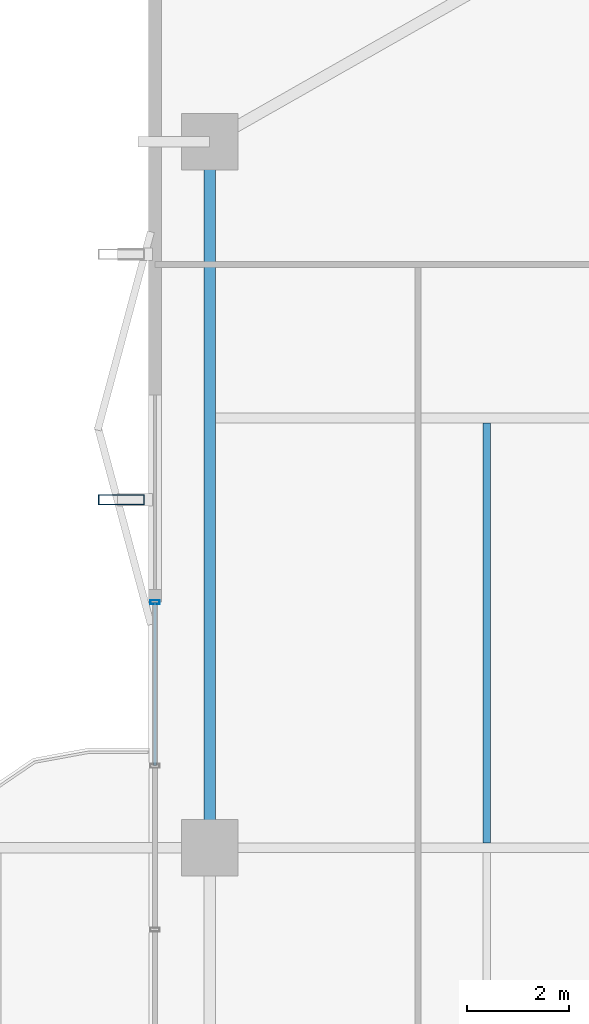
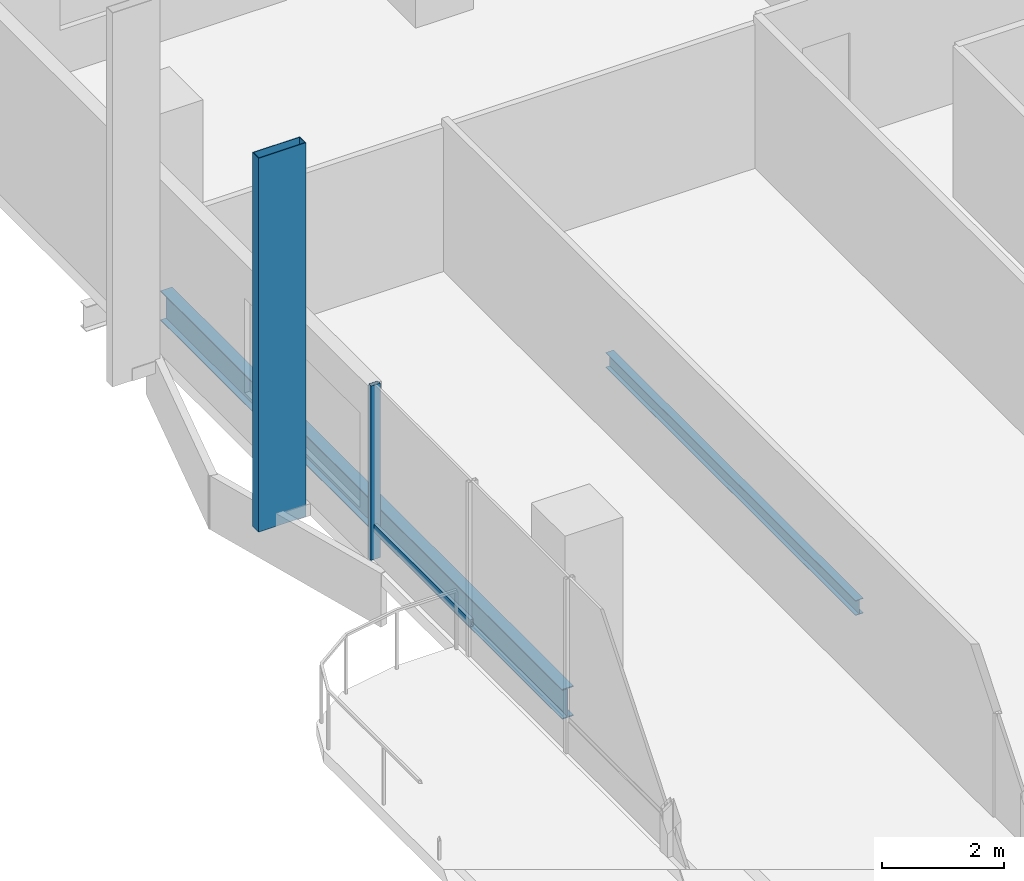
# One storey, part 9 of 24: 3 members, 2 beams, 1 element without a shape of its own.
"""IFC4 building model written with IfcOpenShell, lengths in metres."""

from ifc_helpers import new_model, si_unit, direction, frame, origin, origin_2d, place, context, subcontext, project, spatial, hollow_rectangle, i_section, extrude, material, layer, layer_set, material_profile, profile_set, type_object, element, aggregate, save


model = new_model("IFC4")

# Units and contexts
model_context = context("Model", 3, precision=1e-05, world=origin(), true_north=direction((0.0, 1.0)))
body_context = subcontext(model_context, "Body", "Model", "MODEL_VIEW")
ifc_project = project(units=[si_unit("LENGTHUNIT", "METRE"), si_unit("AREAUNIT", "SQUARE_METRE"), si_unit("VOLUMEUNIT", "CUBIC_METRE"), si_unit("PLANEANGLEUNIT", "RADIAN"), si_unit("MASSUNIT", "GRAM", prefix="KILO")], contexts=[model_context])

# Site, building, storey
site_placement = place(None, origin())
site = spatial("IfcSite", under=ifc_project, at=site_placement, CompositionType="ELEMENT")
building_placement = place(site_placement, origin())
building = spatial("IfcBuilding", under=site, at=building_placement, Name="Belovzor Exchange Tower", CompositionType="ELEMENT")
storey_placement = place(building_placement, frame((0.0, 0.0, 211.199951171875)))
storey = spatial("IfcBuildingStorey", under=building, at=storey_placement, Name="L52", CompositionType="ELEMENT", Elevation=211.199951171875)

# Beam
ifc_material_1 = material(Name="Steel S355", Category="steel")
ifc_material_profile_1 = material_profile(ifc_material_1, i_section(OverallWidth=0.14990234375, OverallDepth=0.300048828125, WebThickness=0.007080078125, FlangeThickness=0.0107421875, at=origin_2d()))
ifc_profile_set_1 = profile_set([ifc_material_profile_1], Name="Steel S355")
beam_type_1 = type_object("IfcBeamType", Name="Secondary Trim Floor Joist IPE 300", PredefinedType="BEAM", material=ifc_profile_set_1)
beam_1_placement = place(storey_placement, frame((8.4130859375, 28.89501953125, -0.39990234375), z_axis=(0.0, 1.0, 0.0), x_axis=(-1.0, 0.0, 0.0)))
element("IfcBeam", 1, at=beam_1_placement, inside=storey, type_object=beam_type_1, Name="FJ-300 Secondary Trim Floor Joist IPE 300", PredefinedType="BEAM", context=body_context, shape_type="SweptSolid", body=[
    extrude(i_section(OverallWidth=0.14990234375, OverallDepth=0.300048828125, WebThickness=0.007080078125, FlangeThickness=0.0107421875, at=origin_2d()), origin(), (0.0, 0.0, 1.0), 8.2099609375),
])

# Member
ifc_material_2 = material(Name="Extruded Architectural Terracotta on Steel S355 Carrier", Category="masonry")
ifc_material_profile_2 = material_profile(ifc_material_2, hollow_rectangle(XDim=0.199951171875, YDim=0.89990234375, WallThickness=0.011962890625, at=origin_2d()))
ifc_profile_set_2 = profile_set([ifc_material_profile_2], Name="Extruded Architectural Terracotta on Steel S355 Carrier")
member_type_1 = type_object("IfcMemberType", Name="Sweeping Terracotta Baguette Fin Assembly 950", PredefinedType="USERDEFINED", material=ifc_profile_set_2)
member_1_placement = place(storey_placement, frame((1.27490234375, 35.60009765625, -0.25), z_axis=(0.0, 0.0, 1.0), x_axis=(0.0, 1.0, 0.0)))
element("IfcMember", 2, at=member_1_placement, inside=storey, type_object=member_type_1, Name="FIN-TC095 Terracotta Facade Fin L52 W3", ObjectType="FIN", PredefinedType="USERDEFINED", context=body_context, shape_type="SweptSolid", body=[
    extrude(hollow_rectangle(XDim=0.199951171875, YDim=0.89990234375, WallThickness=0.011962890625, at=origin_2d()), origin(), (0.0, 0.0, 1.0), 7.5),
])

# Curtain wall, members
ifc_material_3 = material(Name="Anodised Aluminium Framing", Category="aluminium")
ifc_layer = layer(ifc_material_3, 0.179931640625)
ifc_layer_set = layer_set([ifc_layer], Name="Anodised Aluminium Framing")
curtain_wall_type = type_object("IfcCurtainWallType", Name="Recessed Loggia Low-Iron Triple-Glazed Curtain Wall", PredefinedType="NOTDEFINED", material=ifc_layer_set)
curtain_wall_placement = place(storey_placement, origin())
curtain_wall = element("IfcCurtainWall", 3, at=curtain_wall_placement, inside=storey, type_object=curtain_wall_type, Name="CW3 Recessed Loggia Low-Iron Triple-Glazed Curtain Wall L52", PredefinedType="NOTDEFINED")
ifc_material_4 = material(Name="Steel S355", Category="steel")
ifc_material_profile_3 = material_profile(ifc_material_4, hollow_rectangle(XDim=0.074951171875, YDim=0.179931640625, WallThickness=0.0048828125, at=origin_2d()))
ifc_profile_set_3 = profile_set([ifc_material_profile_3], Name="Steel S355")
member_type_2 = type_object("IfcMemberType", Name="Thermally Broken Curtain Wall Mullion 180x75", PredefinedType="MULLION", material=ifc_profile_set_3)
member_2_placement = place(storey_placement, frame((1.929931640625, 33.60009765625, 0.0), z_axis=(0.0, 0.0, 1.0), x_axis=(0.0, 1.0, 0.0)))
member_2 = element("IfcMember", 4, at=member_2_placement, type_object=member_type_2, Name="CW-M180 Curtain Wall Mullion 4", PredefinedType="MULLION", context=body_context, shape_type="SweptSolid", body=[
    extrude(hollow_rectangle(XDim=0.074951171875, YDim=0.179931640625, WallThickness=0.0048828125, at=origin_2d()), origin(), (0.0, 0.0, 1.0), 3.5),
])
ifc_material_5 = material(Name="Steel S355", Category="steel")
ifc_material_profile_4 = material_profile(ifc_material_5, hollow_rectangle(XDim=0.06005859375, YDim=0.14990234375, WallThickness=0.00390625, at=origin_2d()))
ifc_profile_set_4 = profile_set([ifc_material_profile_4], Name="Steel S355")
member_type_3 = type_object("IfcMemberType", Name="Thermally Broken Curtain Wall Transom 150x60", PredefinedType="USERDEFINED", material=ifc_profile_set_4)
member_3_placement = place(storey_placement, frame((1.929931640625, 30.407958984375, 0.630126953125), z_axis=(0.0, 1.0, 0.0), x_axis=(-1.0, 0.0, 0.0)))
member_3 = element("IfcMember", 5, at=member_3_placement, type_object=member_type_3, Name="CW-T150 Curtain Wall Transom 3", ObjectType="TRANSOM", PredefinedType="USERDEFINED", context=body_context, shape_type="SweptSolid", body=[
    extrude(hollow_rectangle(XDim=0.06005859375, YDim=0.14990234375, WallThickness=0.00390625, at=origin_2d()), origin(), (0.0, 0.0, 1.0), 3.18408203125),
])
aggregate(curtain_wall, [member_2, member_3])

# Beam
ifc_material_6 = material(Name="Steel S355", Category="steel")
ifc_material_profile_5 = material_profile(ifc_material_6, i_section(OverallWidth=0.219970703125, OverallDepth=0.60009765625, WebThickness=0.011962890625, FlangeThickness=0.01904296875, at=origin_2d()))
ifc_profile_set_5 = profile_set([ifc_material_profile_5], Name="Steel S355")
beam_type_2 = type_object("IfcBeamType", Name="Zone 4 Flare Primary Girder IPE 600", PredefinedType="BEAM", material=ifc_profile_set_5)
beam_2_placement = place(storey_placement, frame((3.0, 42.297119140625, -0.550048828125), z_axis=(0.0, -1.0, 0.0), x_axis=(1.0, 0.0, 0.0)))
element("IfcBeam", 6, at=beam_2_placement, inside=storey, type_object=beam_type_2, Name="FG-Z4 Zone 4 Flare Primary Girder IPE 600", PredefinedType="BEAM", context=body_context, shape_type="SweptSolid", body=[
    extrude(i_section(OverallWidth=0.219970703125, OverallDepth=0.60009765625, WebThickness=0.011962890625, FlangeThickness=0.01904296875, at=origin_2d()), origin(), (0.0, 0.0, 1.0), 13.195068359375),
])

save(model, "model.ifc")
